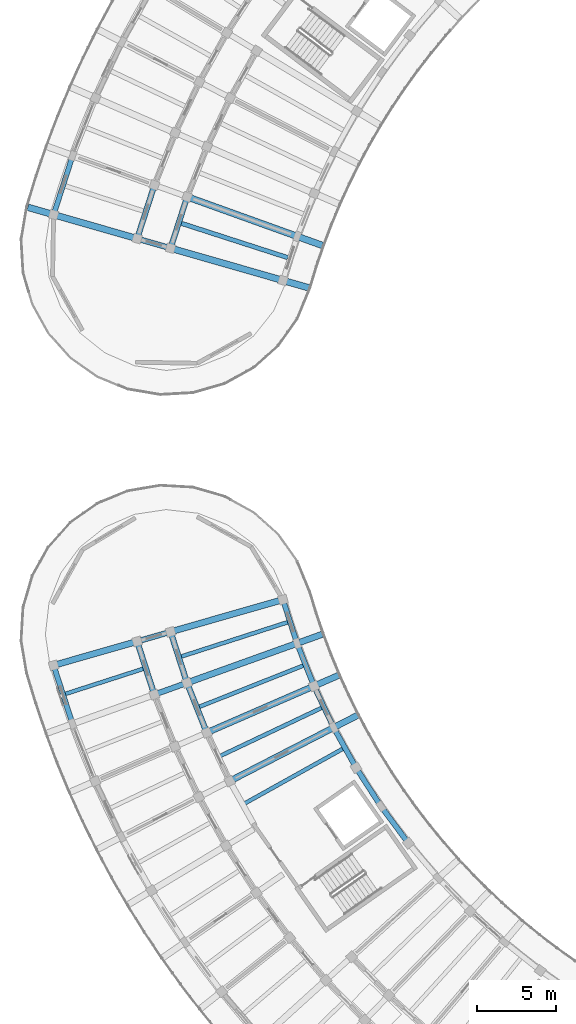
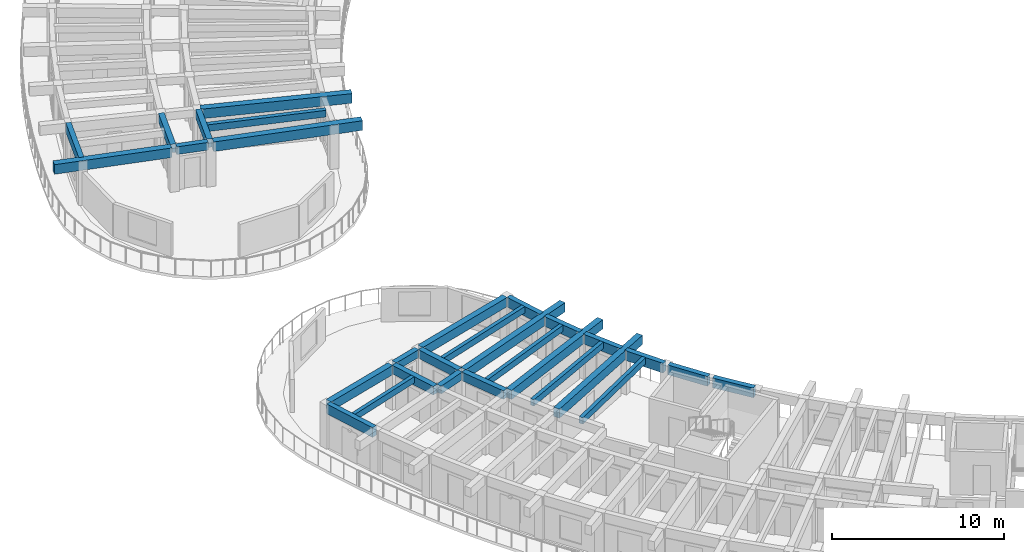
# One storey, part 8 of 81: 30 beams.
"""IFC4 building model written with IfcOpenShell, lengths in metres."""

from ifc_helpers import new_model, si_unit, direction, frame, origin, origin_2d, place, context, subcontext, project, spatial, rectangle, extrude, material, material_profile, profile_set, type_object, element, save


model = new_model("IFC4")

# Units and contexts
model_context = context("Model", 3, precision=1e-05, world=origin(), true_north=direction((0.0, 1.0)))
body_context = subcontext(model_context, "Body", "Model", "MODEL_VIEW")
ifc_project = project(units=[si_unit("LENGTHUNIT", "METRE"), si_unit("AREAUNIT", "SQUARE_METRE"), si_unit("VOLUMEUNIT", "CUBIC_METRE"), si_unit("PLANEANGLEUNIT", "RADIAN"), si_unit("MASSUNIT", "GRAM", prefix="KILO")], contexts=[model_context])

# Site, building, storey
site_placement = place(None, origin())
site = spatial("IfcSite", under=ifc_project, at=site_placement, CompositionType="ELEMENT")
building_placement = place(site_placement, origin())
building = spatial("IfcBuilding", under=site, at=building_placement, Name="Tanwirah Colonnade Gardens", CompositionType="ELEMENT")
storey_placement = place(building_placement, frame((0.0, 0.0, 18.919921875)))
storey = spatial("IfcBuildingStorey", under=building, at=storey_placement, Name="L05", CompositionType="ELEMENT", Elevation=18.919921875)

# Beams
ifc_material_1 = material(Name="Precast concrete C40/50", Category="concrete")
ifc_material_profile_1 = material_profile(ifc_material_1, rectangle(XDim=0.360107421875, YDim=0.610107421875, at=origin_2d()), Name="PC-BM 360x610")
ifc_profile_set_1 = profile_set([ifc_material_profile_1], Name="Precast concrete C40/50")
beam_type_1 = type_object("IfcBeamType", Name="BM-PC300", PredefinedType="BEAM", material=ifc_profile_set_1)
beam_1_placement = place(storey_placement, frame((15.20458984375, 50.0654296875, 2.80517578125), z_axis=(0.306977410573, -0.951716801048, 0.0), x_axis=(0.951716801048, 0.306977410573, 0.0)))
element("IfcBeam", 1, at=beam_1_placement, inside=storey, type_object=beam_type_1, Name="Block C L05 Circumferential Beam 0-R1", PredefinedType="BEAM", context=body_context, shape_type="SweptSolid", body=[
    extrude(rectangle(XDim=0.360107421875, YDim=0.610107421875, at=origin_2d()), origin(), (0.0, 0.0, 1.0), 3.093017578125),
])
beam_2_placement = place(storey_placement, frame((13.08984375, 49.458984375, 2.80517578125), z_axis=(0.306980742305, -0.951715726388, 0.0), x_axis=(0.951715726388, 0.306980742305, 0.0)))
element("IfcBeam", 2, at=beam_2_placement, inside=storey, type_object=beam_type_1, Name="Block C L05 Circumferential Beam 0-R2", PredefinedType="BEAM", context=body_context, shape_type="SweptSolid", body=[
    extrude(rectangle(XDim=0.360107421875, YDim=0.610107421875, at=origin_2d()), origin(), (0.0, 0.0, 1.0), 3.23681640625),
])
beam_3_placement = place(storey_placement, frame((16.25537109375, 46.839599609375, 2.80517578125), z_axis=(0.368544574427, -0.929610077753, 0.0), x_axis=(0.929610077753, 0.368544574427, 0.0)))
element("IfcBeam", 3, at=beam_3_placement, inside=storey, type_object=beam_type_1, Name="Block C L05 Circumferential Beam 1-R1", PredefinedType="BEAM", context=body_context, shape_type="SweptSolid", body=[
    extrude(rectangle(XDim=0.360107421875, YDim=0.610107421875, at=origin_2d()), origin(), (0.0, 0.0, 1.0), 3.093017578125),
])
ifc_material_profile_2 = material_profile(ifc_material_1, rectangle(XDim=0.35009765625, YDim=0.550048828125, at=origin_2d()), Name="PC-BM 350x550")
ifc_profile_set_2 = profile_set([ifc_material_profile_2], Name="Precast concrete C40/50")
beam_type_2 = type_object("IfcBeamType", Name="BM-PC350A", PredefinedType="BEAM", material=ifc_profile_set_2)
for number, where, z_axis, x_axis, name in (
    (4, (15.014404296875, 74.533203125, 2.8349609375), (-0.961266538157, 0.275620468433, 0.0), (-0.275620468433, -0.961266538157, 0.0), "Block A L05 Corridor Tie Beam 18"),
    (5, (15.014404296875, 50.166748046875, 2.8349609375), (-0.961266538157, -0.275620468433, 0.0), (0.275620468433, -0.961266538157, 0.0), "Block C L05 Corridor Tie Beam 0"),
    (6, (16.058837890625, 46.92822265625, 2.8349609375), (-0.941214575511, -0.337809299525, 0.0), (0.337809299525, -0.941214575511, 0.0), "Block C L05 Corridor Tie Beam 1"),
):
    element("IfcBeam", number, at=place(storey_placement, frame(where, z_axis=z_axis, x_axis=x_axis)), inside=storey, type_object=beam_type_2, Name=name, PredefinedType="BEAM", context=body_context, shape_type="SweptSolid", body=[
        extrude(rectangle(XDim=0.35009765625, YDim=0.550048828125, at=origin_2d()), origin(), (0.0, 0.0, 1.0), 1.89990234375),
    ])
ifc_material_profile_3 = material_profile(ifc_material_1, rectangle(XDim=0.35009765625, YDim=0.60009765625, at=origin_2d()), Name="PC-BM 350x600")
ifc_profile_set_3 = profile_set([ifc_material_profile_3], Name="Precast concrete C40/50")
beam_type_3 = type_object("IfcBeamType", Name="BM-PC350B", PredefinedType="BEAM", material=ifc_profile_set_3)
beam_4_placement = place(storey_placement, frame((16.162353515625, 77.601806640625, 2.81005859375), z_axis=(-0.307169780148, -0.951654730542, 0.0), x_axis=(0.951654730542, -0.307169780148, 0.0)))
element("IfcBeam", 7, at=beam_4_placement, inside=storey, type_object=beam_type_3, Name="Block A L05 Circumferential Beam 17-R1", PredefinedType="BEAM", context=body_context, shape_type="SweptSolid", body=[
    extrude(rectangle(XDim=0.35009765625, YDim=0.60009765625, at=origin_2d()), origin(), (0.0, 0.0, 1.0), 3.117919921875),
])
beam_5_placement = place(storey_placement, frame((14.09228515625, 78.34619140625, 2.81005859375), z_axis=(-0.307212636327, -0.9516408966, 0.0), x_axis=(0.9516408966, -0.307212636327, 0.0)))
element("IfcBeam", 8, at=beam_5_placement, inside=storey, type_object=beam_type_3, Name="Block A L05 Circumferential Beam 17-R2", PredefinedType="BEAM", context=body_context, shape_type="SweptSolid", body=[
    extrude(rectangle(XDim=0.35009765625, YDim=0.60009765625, at=origin_2d()), origin(), (0.0, 0.0, 1.0), 3.262939453125),
])
ifc_material_2 = material(Name="Precast concrete C45/55", Category="concrete")
ifc_material_profile_4 = material_profile(ifc_material_2, rectangle(XDim=0.39990234375, YDim=0.64990234375, at=origin_2d()), Name="PC-BM 400x650")
ifc_profile_set_4 = profile_set([ifc_material_profile_4], Name="Precast concrete C45/55")
beam_type_4 = type_object("IfcBeamType", Name="BM-PC400", PredefinedType="BEAM", material=ifc_profile_set_4)
beam_6_placement = place(storey_placement, frame((15.302734375, 50.24951171875, 2.78515625), z_axis=(0.961261397636, 0.275638396117, 0.0), x_axis=(-0.275638396117, 0.961261397636, 0.0)))
element("IfcBeam", 9, at=beam_6_placement, inside=storey, type_object=beam_type_4, Name="Block C L05 Inner Radial Precast Girder 0", PredefinedType="BEAM", context=body_context, shape_type="SweptSolid", body=[
    extrude(rectangle(XDim=0.39990234375, YDim=0.64990234375, at=origin_2d()), origin(), (0.0, 0.0, 1.0), 7.10009765625),
])
beam_7_placement = place(storey_placement, frame((12.899658203125, 49.560546875, 2.78515625), z_axis=(-0.961259519271, -0.275644946646, 0.0), x_axis=(0.275644946646, -0.961259519271, 0.0)))
element("IfcBeam", 10, at=beam_7_placement, inside=storey, type_object=beam_type_4, Name="Block C L05 Outer Radial Precast Girder 0", PredefinedType="BEAM", context=body_context, shape_type="SweptSolid", body=[
    extrude(rectangle(XDim=0.39990234375, YDim=0.64990234375, at=origin_2d()), origin(), (0.0, 0.0, 1.0), 5.199951171875),
])
beam_8_placement = place(storey_placement, frame((16.34130859375, 47.02978515625, 2.78515625), z_axis=(0.941180212187, 0.337905028356, 0.0), x_axis=(-0.337905028356, 0.941180212187, 0.0)))
element("IfcBeam", 11, at=beam_8_placement, inside=storey, type_object=beam_type_4, Name="Block C L05 Inner Radial Precast Girder 1", PredefinedType="BEAM", context=body_context, shape_type="SweptSolid", body=[
    extrude(rectangle(XDim=0.39990234375, YDim=0.64990234375, at=origin_2d()), origin(), (0.0, 0.0, 1.0), 8.94970703125),
])
for number, where, z_axis, x_axis, name in (
    (12, (17.587890625, 43.884765625, 2.78515625), (0.917069622575, 0.398727108872, 0.0), (-0.398727108872, 0.917069622575, 0.0), "Block C L05 Inner Radial Precast Girder 2"),
    (13, (19.037841796875, 40.827880859375, 2.78515625), (0.889022337846, 0.457863825619, 0.0), (-0.457863825619, 0.889022337846, 0.0), "Block C L05 Inner Radial Precast Girder 3"),
):
    element("IfcBeam", number, at=place(storey_placement, frame(where, z_axis=z_axis, x_axis=x_axis)), inside=storey, type_object=beam_type_4, Name=name, PredefinedType="BEAM", context=body_context, shape_type="SweptSolid", body=[
        extrude(rectangle(XDim=0.39990234375, YDim=0.64990234375, at=origin_2d()), origin(), (0.0, 0.0, 1.0), 8.949951171875),
    ])
ifc_material_profile_5 = material_profile(ifc_material_2, rectangle(XDim=0.419921875, YDim=0.679931640625, at=origin_2d()), Name="PC-BM 420x680")
ifc_profile_set_5 = profile_set([ifc_material_profile_5], Name="Precast concrete C45/55")
beam_type_5 = type_object("IfcBeamType", Name="BM-PC420", PredefinedType="BEAM", material=ifc_profile_set_5)
for number, where, z_axis, x_axis, name in (
    (14, (16.349609375, 77.69384765625, 2.77001953125), (0.941017049702, -0.338359146723, 0.0), (0.338359146723, 0.941017049702, 0.0), "Block A L05 Inner Radial Precast Girder 17"),
    (15, (15.302734375, 74.450439453125, 2.77001953125), (0.961258954076, -0.275646917646, 0.0), (0.275646917646, 0.961258954076, 0.0), "Block A L05 Inner Radial Precast Girder 18"),
):
    element("IfcBeam", number, at=place(storey_placement, frame(where, z_axis=z_axis, x_axis=x_axis)), inside=storey, type_object=beam_type_5, Name=name, PredefinedType="BEAM", context=body_context, shape_type="SweptSolid", body=[
        extrude(rectangle(XDim=0.419921875, YDim=0.679931640625, at=origin_2d()), origin(), (0.0, 0.0, 1.0), 8.949951171875),
    ])
beam_9_placement = place(storey_placement, frame((12.899658203125, 75.1396484375, 2.77001953125), z_axis=(-0.961266085595, 0.275622046806, 0.0), x_axis=(-0.275622046806, -0.961266085595, 0.0)))
element("IfcBeam", 16, at=beam_9_placement, inside=storey, type_object=beam_type_5, Name="Block A L05 Outer Radial Precast Girder 18", PredefinedType="BEAM", context=body_context, shape_type="SweptSolid", body=[
    extrude(rectangle(XDim=0.419921875, YDim=0.679931640625, at=origin_2d()), origin(), (0.0, 0.0, 1.0), 7.0498046875),
])
ifc_material_profile_6 = material_profile(ifc_material_1, rectangle(XDim=0.25, YDim=0.449951171875, at=origin_2d()), Name="PC-JST 250x450")
ifc_profile_set_6 = profile_set([ifc_material_profile_6], Name="Precast concrete C40/50")
beam_type_6 = type_object("IfcBeamType", Name="JST-PC250", PredefinedType="JOIST", material=ifc_profile_set_6)
beam_10_placement = place(storey_placement, frame((13.44482421875, 47.873046875, 2.885009765625), z_axis=(-0.95172917624, -0.30693904133, 0.0), x_axis=(0.30693904133, -0.95172917624, 0.0)))
element("IfcBeam", 17, at=beam_10_placement, inside=storey, type_object=beam_type_6, Name="Block C L05 Precast Floor Joist 0", PredefinedType="JOIST", context=body_context, shape_type="SweptSolid", body=[
    extrude(rectangle(XDim=0.25, YDim=0.449951171875, at=origin_2d()), origin(), (0.0, 0.0, 1.0), 5.260009765625),
])
for number, where, z_axis, x_axis, name in (
    (18, (22.58154296875, 50.819580078125, 2.885009765625), (-0.951727255502, -0.30694499692, 0.0), (0.30694499692, -0.951727255502, 0.0), "Block C L05 Inner Precast Floor Joist 0"),
    (19, (23.567138671875, 48.07470703125, 2.885009765625), (-0.929619798141, -0.368520054956, 0.0), (0.368520054956, -0.929619798141, 0.0), "Block C L05 Inner Precast Floor Joist 1"),
):
    element("IfcBeam", number, at=place(storey_placement, frame(where, z_axis=z_axis, x_axis=x_axis)), inside=storey, type_object=beam_type_6, Name=name, PredefinedType="JOIST", context=body_context, shape_type="SweptSolid", body=[
        extrude(rectangle(XDim=0.25, YDim=0.449951171875, at=origin_2d()), origin(), (0.0, 0.0, 1.0), 7.16015625),
    ])
for number, where, z_axis, x_axis, name in (
    (20, (24.72998046875, 45.39990234375, 2.885009765625), (-0.903522492189, -0.428540670308, 0.0), (0.428540670308, -0.903522492189, 0.0), "Block C L05 Inner Precast Floor Joist 2"),
    (21, (26.0654296875, 42.80712890625, 2.885009765625), (-0.873559899034, -0.486716655561, 0.0), (0.486716655561, -0.873559899034, 0.0), "Block C L05 Inner Precast Floor Joist 3"),
):
    element("IfcBeam", number, at=place(storey_placement, frame(where, z_axis=z_axis, x_axis=x_axis)), inside=storey, type_object=beam_type_6, Name=name, PredefinedType="JOIST", context=body_context, shape_type="SweptSolid", body=[
        extrude(rectangle(XDim=0.25, YDim=0.449951171875, at=origin_2d()), origin(), (0.0, 0.0, 1.0), 7.159912109375),
    ])
ifc_material_profile_7 = material_profile(ifc_material_1, rectangle(XDim=0.280029296875, YDim=0.47998046875, at=origin_2d()), Name="PC-JST 280x480")
ifc_profile_set_7 = profile_set([ifc_material_profile_7], Name="Precast concrete C40/50")
beam_type_7 = type_object("IfcBeamType", Name="JST-PC280", PredefinedType="JOIST", material=ifc_profile_set_7)
beam_11_placement = place(storey_placement, frame((22.584716796875, 73.890625, 2.8701171875), z_axis=(-0.951647858625, 0.307191069489, 0.0), x_axis=(-0.307191069489, -0.951647858625, 0.0)))
element("IfcBeam", 22, at=beam_11_placement, inside=storey, type_object=beam_type_7, Name="Block A L05 Inner Precast Floor Joist 17", PredefinedType="JOIST", context=body_context, shape_type="SweptSolid", body=[
    extrude(rectangle(XDim=0.280029296875, YDim=0.47998046875, at=origin_2d()), origin(), (0.0, 0.0, 1.0), 7.159912109375),
])
ifc_material_profile_8 = material_profile(ifc_material_1, rectangle(XDim=0.330078125, YDim=0.68994140625, at=origin_2d()), Name="PC-SP 330x690")
ifc_profile_set_8 = profile_set([ifc_material_profile_8], Name="Precast concrete C40/50")
beam_type_8 = type_object("IfcBeamType", Name="SP-PC280", PredefinedType="SPANDREL", material=ifc_profile_set_8)
beam_12_placement = place(storey_placement, frame((22.31787109375, 52.105224609375, 2.76513671875), z_axis=(0.306948094518, -0.951726256479, 0.0), x_axis=(0.951726256479, 0.306948094518, 0.0)))
element("IfcBeam", 23, at=beam_12_placement, inside=storey, type_object=beam_type_8, Name="Block C L05 Circumferential Beam 0-R0", PredefinedType="SPANDREL", context=body_context, shape_type="SweptSolid", body=[
    extrude(rectangle(XDim=0.330078125, YDim=0.68994140625, at=origin_2d()), origin(), (0.0, 0.0, 1.0), 2.60888671875),
])
beam_13_placement = place(storey_placement, frame((7.802978515625, 47.943115234375, 2.76513671875), z_axis=(0.306927419976, -0.951732924127, 0.0), x_axis=(0.951732924127, 0.306927419976, 0.0)))
element("IfcBeam", 24, at=beam_13_placement, inside=storey, type_object=beam_type_8, Name="Block C L05 Circumferential Beam 0-R3", PredefinedType="SPANDREL", context=body_context, shape_type="SweptSolid", body=[
    extrude(rectangle(XDim=0.330078125, YDim=0.68994140625, at=origin_2d()), origin(), (0.0, 0.0, 1.0), 3.596923828125),
])
beam_14_placement = place(storey_placement, frame((23.219970703125, 49.340087890625, 2.76513671875), z_axis=(0.368549031306, -0.929608310808, 0.0), x_axis=(0.929608310808, 0.368549031306, 0.0)))
element("IfcBeam", 25, at=beam_14_placement, inside=storey, type_object=beam_type_8, Name="Block C L05 Circumferential Beam 1-R0", PredefinedType="SPANDREL", context=body_context, shape_type="SweptSolid", body=[
    extrude(rectangle(XDim=0.330078125, YDim=0.68994140625, at=origin_2d()), origin(), (0.0, 0.0, 1.0), 2.608642578125),
])
beam_15_placement = place(storey_placement, frame((24.301025390625, 46.64013671875, 2.76513671875), z_axis=(0.428512709915, -0.903535753272, 0.0), x_axis=(0.903535753272, 0.428512709915, 0.0)))
element("IfcBeam", 26, at=beam_15_placement, inside=storey, type_object=beam_type_8, Name="Block C L05 Circumferential Beam 2-R0", PredefinedType="SPANDREL", context=body_context, shape_type="SweptSolid", body=[
    extrude(rectangle(XDim=0.330078125, YDim=0.68994140625, at=origin_2d()), origin(), (0.0, 0.0, 1.0), 2.60888671875),
])
beam_16_placement = place(storey_placement, frame((25.55615234375, 44.016357421875, 2.76513671875), z_axis=(0.486747049114, -0.873542964129, 0.0), x_axis=(0.873542964129, 0.486747049114, 0.0)))
element("IfcBeam", 27, at=beam_16_placement, inside=storey, type_object=beam_type_8, Name="Block C L05 Circumferential Beam 3-R0", PredefinedType="SPANDREL", context=body_context, shape_type="SweptSolid", body=[
    extrude(rectangle(XDim=0.330078125, YDim=0.68994140625, at=origin_2d()), origin(), (0.0, 0.0, 1.0), 2.608642578125),
])
beam_17_placement = place(storey_placement, frame((26.980224609375, 41.48046875, 2.76513671875), z_axis=(0.542874837406, -0.83981361677, 0.0), x_axis=(0.83981361677, 0.542874837406, 0.0)))
element("IfcBeam", 28, at=beam_17_placement, inside=storey, type_object=beam_type_8, Name="Block C L05 Circumferential Beam 4-R0", PredefinedType="SPANDREL", context=body_context, shape_type="SweptSolid", body=[
    extrude(rectangle(XDim=0.330078125, YDim=0.68994140625, at=origin_2d()), origin(), (0.0, 0.0, 1.0), 2.60888671875),
])
beam_18_placement = place(storey_placement, frame((28.5673828125, 39.043212890625, 2.76513671875), z_axis=(0.596565220249, -0.802564600508, 0.0), x_axis=(0.802564600508, 0.596565220249, 0.0)))
element("IfcBeam", 29, at=beam_18_placement, inside=storey, type_object=beam_type_8, Name="Block C L05 Circumferential Beam 5-R0", PredefinedType="SPANDREL", context=body_context, shape_type="SweptSolid", body=[
    extrude(rectangle(XDim=0.330078125, YDim=0.68994140625, at=origin_2d()), origin(), (0.0, 0.0, 1.0), 2.6083984375),
])
ifc_material_profile_9 = material_profile(ifc_material_2, rectangle(XDim=0.320068359375, YDim=0.679931640625, at=origin_2d()), Name="PC-SP 320x680")
ifc_profile_set_9 = profile_set([ifc_material_profile_9], Name="Precast concrete C45/55")
beam_type_9 = type_object("IfcBeamType", Name="SP-PC320", PredefinedType="SPANDREL", material=ifc_profile_set_9)
beam_19_placement = place(storey_placement, frame((8.916748046875, 80.207275390625, 2.77001953125), z_axis=(-0.307183773768, -0.951650213647, 0.0), x_axis=(0.951650213647, -0.307183773768, 0.0)))
element("IfcBeam", 30, at=beam_19_placement, inside=storey, type_object=beam_type_9, Name="Block A L05 Circumferential Beam 17-R3", PredefinedType="SPANDREL", context=body_context, shape_type="SweptSolid", body=[
    extrude(rectangle(XDim=0.320068359375, YDim=0.679931640625, at=origin_2d()), origin(), (0.0, 0.0, 1.0), 3.625732421875),
])

save(model, "model.ifc")
